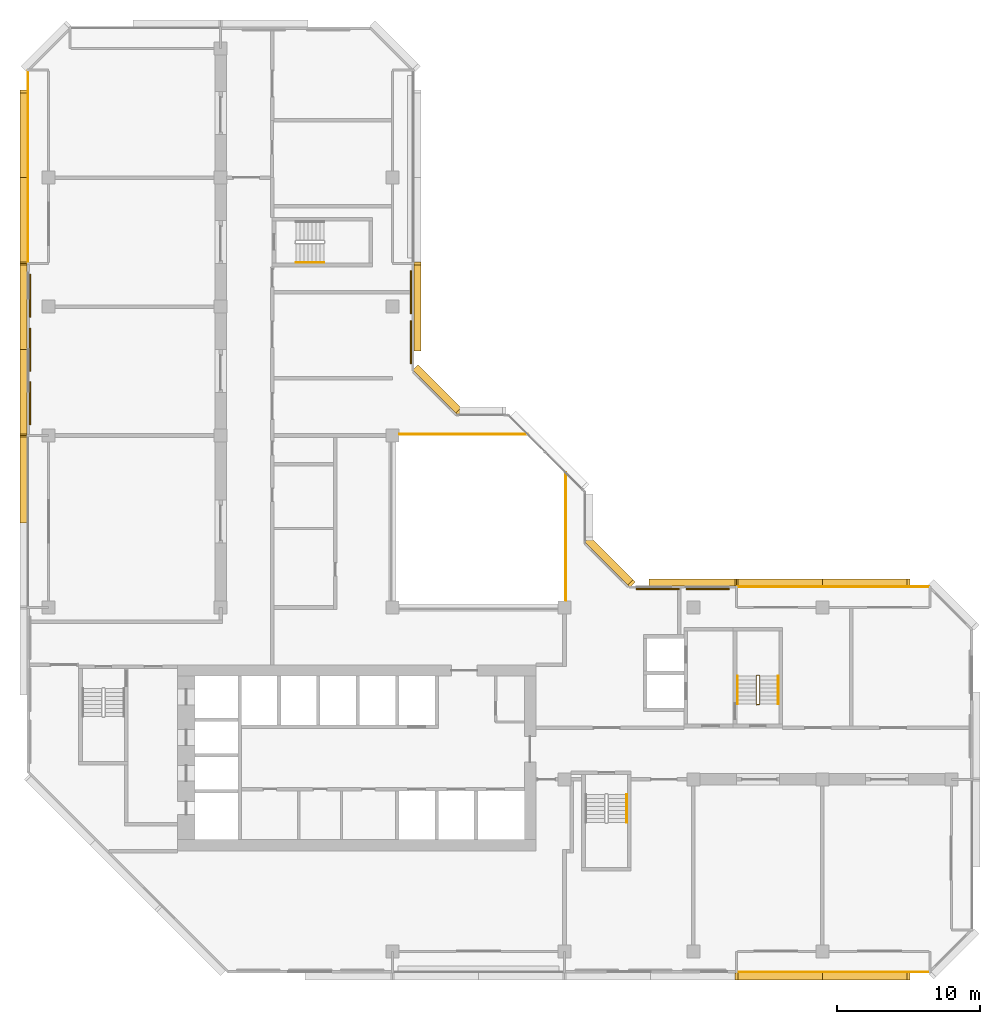
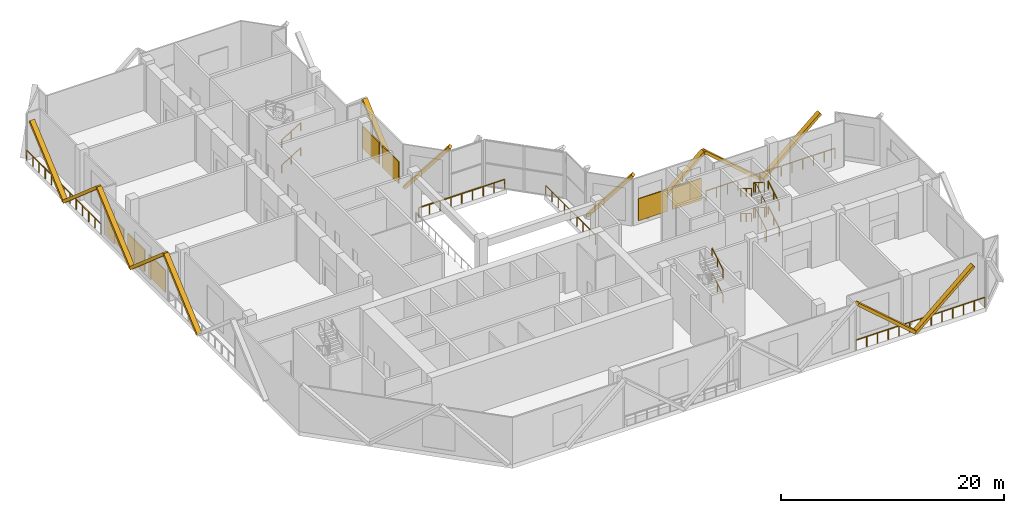
# One storey, part 10 of 11: 14 railings, 13 coverings, 7 shading devices.
"""IFC4 building model written with IfcOpenShell, lengths in metres."""

from ifc_helpers import new_model, si_unit, direction, frame, origin, origin_2d, place, context, subcontext, project, spatial, rectangle, extrude, material, material_profile, profile_set, type_object, element, save


model = new_model("IFC4")

# Units and contexts
model_context = context("Model", 3, precision=1e-05, world=origin(), true_north=direction((0.0, 1.0)))
body_context = subcontext(model_context, "Body", "Model", "MODEL_VIEW")
ifc_project = project(units=[si_unit("LENGTHUNIT", "METRE"), si_unit("AREAUNIT", "SQUARE_METRE"), si_unit("VOLUMEUNIT", "CUBIC_METRE"), si_unit("PLANEANGLEUNIT", "RADIAN"), si_unit("MASSUNIT", "GRAM", prefix="KILO")], contexts=[model_context])

# Site, building, storey
site_placement = place(None, origin())
site = spatial("IfcSite", under=ifc_project, at=site_placement, CompositionType="ELEMENT")
building_placement = place(site_placement, origin())
building = spatial("IfcBuilding", under=site, at=building_placement, Name="Chenar Terraces", CompositionType="ELEMENT")
storey_placement = place(building_placement, frame((0.0, 0.0, 206.14990234375)))
storey = spatial("IfcBuildingStorey", under=building, at=storey_placement, Name="L48", CompositionType="ELEMENT", Elevation=206.14990234375)

# Railings
ifc_material_1 = material(Name="Powder-coated steel", Category="steel")
railing_type_1 = type_object("IfcRailingType", Name="Guard 1100 steel rail with glass infill", PredefinedType="GUARDRAIL", material=ifc_material_1)
railing_1_placement = place(storey_placement, frame((24.5, 36.10009765625, 0.0)))
element("IfcRailing", 1, at=railing_1_placement, inside=storey, type_object=railing_type_1, Name="Guard L48-2", PredefinedType="GUARDRAIL", context=body_context, shape_type="SweptSolid", body=[
    extrude(rectangle(XDim=0.06005859375, YDim=0.06005859375, at=origin_2d()), frame((0.0, 0.0, 1.070068359375), z_axis=(1.0, 0.0, 0.0), x_axis=(0.0, 1.0, 0.0)), (0.0, 0.0, 1.0), 8.89990234375),
    extrude(rectangle(XDim=0.050048828125, YDim=0.050048828125, at=origin_2d()), origin(), (0.0, 0.0, 1.0), 1.0400390625),
    extrude(rectangle(XDim=0.050048828125, YDim=0.050048828125, at=origin_2d()), frame((1.112548828125, 0.0, 0.0)), (0.0, 0.0, 1.0), 1.0400390625),
    extrude(rectangle(XDim=0.050048828125, YDim=0.050048828125, at=origin_2d()), frame((2.22509765625, 0.0, 0.0)), (0.0, 0.0, 1.0), 1.0400390625),
    extrude(rectangle(XDim=0.050048828125, YDim=0.050048828125, at=origin_2d()), frame((3.33740234375, 0.0, 0.0)), (0.0, 0.0, 1.0), 1.0400390625),
    extrude(rectangle(XDim=0.050048828125, YDim=0.050048828125, at=origin_2d()), frame((4.449951171875, 0.0, 0.0)), (0.0, 0.0, 1.0), 1.0400390625),
    extrude(rectangle(XDim=0.050048828125, YDim=0.050048828125, at=origin_2d()), frame((5.5625, 0.0, 0.0)), (0.0, 0.0, 1.0), 1.0400390625),
    extrude(rectangle(XDim=0.050048828125, YDim=0.050048828125, at=origin_2d()), frame((6.6748046875, 0.0, 0.0)), (0.0, 0.0, 1.0), 1.0400390625),
    extrude(rectangle(XDim=0.050048828125, YDim=0.050048828125, at=origin_2d()), frame((7.787353515625, 0.0, 0.0)), (0.0, 0.0, 1.0), 1.0400390625),
    extrude(rectangle(XDim=0.050048828125, YDim=0.050048828125, at=origin_2d()), frame((8.89990234375, 0.0, 0.0)), (0.0, 0.0, 1.0), 1.0400390625),
])
railing_2_placement = place(storey_placement, frame((36.10009765625, 24.5, 0.0)))
element("IfcRailing", 2, at=railing_2_placement, inside=storey, type_object=railing_type_1, Name="Guard L48-3", PredefinedType="GUARDRAIL", context=body_context, shape_type="SweptSolid", body=[
    extrude(rectangle(XDim=0.06005859375, YDim=0.06005859375, at=origin_2d()), frame((0.0, 0.0, 1.070068359375), z_axis=(0.0, 1.0, 0.0), x_axis=(-1.0, 0.0, 0.0)), (0.0, 0.0, 1.0), 8.89990234375),
    extrude(rectangle(XDim=0.050048828125, YDim=0.050048828125, at=origin_2d()), origin(), (0.0, 0.0, 1.0), 1.0400390625),
    extrude(rectangle(XDim=0.050048828125, YDim=0.050048828125, at=origin_2d()), frame((0.0, 1.112548828125, 0.0)), (0.0, 0.0, 1.0), 1.0400390625),
    extrude(rectangle(XDim=0.050048828125, YDim=0.050048828125, at=origin_2d()), frame((0.0, 2.22509765625, 0.0)), (0.0, 0.0, 1.0), 1.0400390625),
    extrude(rectangle(XDim=0.050048828125, YDim=0.050048828125, at=origin_2d()), frame((0.0, 3.33740234375, 0.0)), (0.0, 0.0, 1.0), 1.0400390625),
    extrude(rectangle(XDim=0.050048828125, YDim=0.050048828125, at=origin_2d()), frame((0.0, 4.449951171875, 0.0)), (0.0, 0.0, 1.0), 1.0400390625),
    extrude(rectangle(XDim=0.050048828125, YDim=0.050048828125, at=origin_2d()), frame((0.0, 5.5625, 0.0)), (0.0, 0.0, 1.0), 1.0400390625),
    extrude(rectangle(XDim=0.050048828125, YDim=0.050048828125, at=origin_2d()), frame((0.0, 6.6748046875, 0.0)), (0.0, 0.0, 1.0), 1.0400390625),
    extrude(rectangle(XDim=0.050048828125, YDim=0.050048828125, at=origin_2d()), frame((0.0, 7.787353515625, 0.0)), (0.0, 0.0, 1.0), 1.0400390625),
    extrude(rectangle(XDim=0.050048828125, YDim=0.050048828125, at=origin_2d()), frame((0.0, 8.89990234375, 0.0)), (0.0, 0.0, 1.0), 1.0400390625),
])
ifc_material_2 = material(Name="Stainless steel and glass", Category="steel")
railing_type_2 = type_object("IfcRailingType", Name="Loggia guard 1150", PredefinedType="GUARDRAIL", material=ifc_material_2)
railing_3_placement = place(storey_placement, frame((61.425048828125, 25.449951171875, 0.0)))
element("IfcRailing", 3, at=railing_3_placement, inside=storey, type_object=railing_type_2, Name="Loggia guard", PredefinedType="GUARDRAIL", context=body_context, shape_type="SweptSolid", body=[
    extrude(rectangle(XDim=0.048095703125, YDim=0.048095703125, at=origin_2d()), frame((0.0, 0.0, 1.1259765625), z_axis=(-1.0, 0.0, 0.0), x_axis=(0.0, -1.0, 0.0)), (0.0, 0.0, 1.0), 13.35009765625),
    extrude(rectangle(XDim=0.0419921875, YDim=0.0419921875, at=origin_2d()), origin(), (0.0, 0.0, 1.0), 1.101806640625),
    extrude(rectangle(XDim=0.0419921875, YDim=0.0419921875, at=origin_2d()), frame((-1.112548828125, 0.0, 0.0)), (0.0, 0.0, 1.0), 1.101806640625),
    extrude(rectangle(XDim=0.0419921875, YDim=0.0419921875, at=origin_2d()), frame((-2.22509765625, 0.0, 0.0)), (0.0, 0.0, 1.0), 1.101806640625),
    extrude(rectangle(XDim=0.0419921875, YDim=0.0419921875, at=origin_2d()), frame((-3.33740234375, 0.0, 0.0)), (0.0, 0.0, 1.0), 1.101806640625),
    extrude(rectangle(XDim=0.0419921875, YDim=0.0419921875, at=origin_2d()), frame((-4.449951171875, 0.0, 0.0)), (0.0, 0.0, 1.0), 1.101806640625),
    extrude(rectangle(XDim=0.0419921875, YDim=0.0419921875, at=origin_2d()), frame((-5.5625, 0.0, 0.0)), (0.0, 0.0, 1.0), 1.101806640625),
    extrude(rectangle(XDim=0.0419921875, YDim=0.0419921875, at=origin_2d()), frame((-6.675048828125, 0.0, 0.0)), (0.0, 0.0, 1.0), 1.101806640625),
    extrude(rectangle(XDim=0.0419921875, YDim=0.0419921875, at=origin_2d()), frame((-7.78759765625, 0.0, 0.0)), (0.0, 0.0, 1.0), 1.101806640625),
    extrude(rectangle(XDim=0.0419921875, YDim=0.0419921875, at=origin_2d()), frame((-8.900146484375, 0.0, 0.0)), (0.0, 0.0, 1.0), 1.101806640625),
    extrude(rectangle(XDim=0.0419921875, YDim=0.0419921875, at=origin_2d()), frame((-10.0126953125, 0.0, 0.0)), (0.0, 0.0, 1.0), 1.101806640625),
    extrude(rectangle(XDim=0.0419921875, YDim=0.0419921875, at=origin_2d()), frame((-11.125, 0.0, 0.0)), (0.0, 0.0, 1.0), 1.101806640625),
    extrude(rectangle(XDim=0.0419921875, YDim=0.0419921875, at=origin_2d()), frame((-12.237548828125, 0.0, 0.0)), (0.0, 0.0, 1.0), 1.101806640625),
    extrude(rectangle(XDim=0.0419921875, YDim=0.0419921875, at=origin_2d()), frame((-13.35009765625, 0.0, 0.0)), (0.0, 0.0, 1.0), 1.101806640625),
])
railing_4_placement = place(storey_placement, frame((48.074951171875, -1.449951171875, 0.0)))
element("IfcRailing", 4, at=railing_4_placement, inside=storey, type_object=railing_type_2, Name="Loggia guard", PredefinedType="GUARDRAIL", context=body_context, shape_type="SweptSolid", body=[
    extrude(rectangle(XDim=0.048095703125, YDim=0.048095703125, at=origin_2d()), frame((0.0, 0.0, 1.1259765625), z_axis=(1.0, 0.0, 0.0), x_axis=(0.0, 1.0, 0.0)), (0.0, 0.0, 1.0), 13.35009765625),
    extrude(rectangle(XDim=0.0419921875, YDim=0.0419921875, at=origin_2d()), origin(), (0.0, 0.0, 1.0), 1.101806640625),
    extrude(rectangle(XDim=0.0419921875, YDim=0.0419921875, at=origin_2d()), frame((1.112548828125, 0.0, 0.0)), (0.0, 0.0, 1.0), 1.101806640625),
    extrude(rectangle(XDim=0.0419921875, YDim=0.0419921875, at=origin_2d()), frame((2.22509765625, 0.0, 0.0)), (0.0, 0.0, 1.0), 1.101806640625),
    extrude(rectangle(XDim=0.0419921875, YDim=0.0419921875, at=origin_2d()), frame((3.33740234375, 0.0, 0.0)), (0.0, 0.0, 1.0), 1.101806640625),
    extrude(rectangle(XDim=0.0419921875, YDim=0.0419921875, at=origin_2d()), frame((4.449951171875, 0.0, 0.0)), (0.0, 0.0, 1.0), 1.101806640625),
    extrude(rectangle(XDim=0.0419921875, YDim=0.0419921875, at=origin_2d()), frame((5.5625, 0.0, 0.0)), (0.0, 0.0, 1.0), 1.101806640625),
    extrude(rectangle(XDim=0.0419921875, YDim=0.0419921875, at=origin_2d()), frame((6.675048828125, 0.0, 0.0)), (0.0, 0.0, 1.0), 1.101806640625),
    extrude(rectangle(XDim=0.0419921875, YDim=0.0419921875, at=origin_2d()), frame((7.78759765625, 0.0, 0.0)), (0.0, 0.0, 1.0), 1.101806640625),
    extrude(rectangle(XDim=0.0419921875, YDim=0.0419921875, at=origin_2d()), frame((8.900146484375, 0.0, 0.0)), (0.0, 0.0, 1.0), 1.101806640625),
    extrude(rectangle(XDim=0.0419921875, YDim=0.0419921875, at=origin_2d()), frame((10.0126953125, 0.0, 0.0)), (0.0, 0.0, 1.0), 1.101806640625),
    extrude(rectangle(XDim=0.0419921875, YDim=0.0419921875, at=origin_2d()), frame((11.125, 0.0, 0.0)), (0.0, 0.0, 1.0), 1.101806640625),
    extrude(rectangle(XDim=0.0419921875, YDim=0.0419921875, at=origin_2d()), frame((12.237548828125, 0.0, 0.0)), (0.0, 0.0, 1.0), 1.101806640625),
    extrude(rectangle(XDim=0.0419921875, YDim=0.0419921875, at=origin_2d()), frame((13.35009765625, 0.0, 0.0)), (0.0, 0.0, 1.0), 1.101806640625),
])
railing_5_placement = place(storey_placement, frame((-1.449951171875, 61.425048828125, 0.0)))
element("IfcRailing", 5, at=railing_5_placement, inside=storey, type_object=railing_type_2, Name="Loggia guard", PredefinedType="GUARDRAIL", context=body_context, shape_type="SweptSolid", body=[
    extrude(rectangle(XDim=0.048095703125, YDim=0.048095703125, at=origin_2d()), frame((0.0, 0.0, 1.1259765625), z_axis=(0.0, -1.0, 0.0), x_axis=(1.0, 0.0, 0.0)), (0.0, 0.0, 1.0), 13.35009765625),
    extrude(rectangle(XDim=0.0419921875, YDim=0.0419921875, at=origin_2d()), origin(), (0.0, 0.0, 1.0), 1.101806640625),
    extrude(rectangle(XDim=0.0419921875, YDim=0.0419921875, at=origin_2d()), frame((0.0, -1.112548828125, 0.0)), (0.0, 0.0, 1.0), 1.101806640625),
    extrude(rectangle(XDim=0.0419921875, YDim=0.0419921875, at=origin_2d()), frame((0.0, -2.22509765625, 0.0)), (0.0, 0.0, 1.0), 1.101806640625),
    extrude(rectangle(XDim=0.0419921875, YDim=0.0419921875, at=origin_2d()), frame((0.0, -3.33740234375, 0.0)), (0.0, 0.0, 1.0), 1.101806640625),
    extrude(rectangle(XDim=0.0419921875, YDim=0.0419921875, at=origin_2d()), frame((0.0, -4.449951171875, 0.0)), (0.0, 0.0, 1.0), 1.101806640625),
    extrude(rectangle(XDim=0.0419921875, YDim=0.0419921875, at=origin_2d()), frame((0.0, -5.5625, 0.0)), (0.0, 0.0, 1.0), 1.101806640625),
    extrude(rectangle(XDim=0.0419921875, YDim=0.0419921875, at=origin_2d()), frame((0.0, -6.675048828125, 0.0)), (0.0, 0.0, 1.0), 1.101806640625),
    extrude(rectangle(XDim=0.0419921875, YDim=0.0419921875, at=origin_2d()), frame((0.0, -7.78759765625, 0.0)), (0.0, 0.0, 1.0), 1.101806640625),
    extrude(rectangle(XDim=0.0419921875, YDim=0.0419921875, at=origin_2d()), frame((0.0, -8.900146484375, 0.0)), (0.0, 0.0, 1.0), 1.101806640625),
    extrude(rectangle(XDim=0.0419921875, YDim=0.0419921875, at=origin_2d()), frame((0.0, -10.0126953125, 0.0)), (0.0, 0.0, 1.0), 1.101806640625),
    extrude(rectangle(XDim=0.0419921875, YDim=0.0419921875, at=origin_2d()), frame((0.0, -11.125, 0.0)), (0.0, 0.0, 1.0), 1.101806640625),
    extrude(rectangle(XDim=0.0419921875, YDim=0.0419921875, at=origin_2d()), frame((0.0, -12.237548828125, 0.0)), (0.0, 0.0, 1.0), 1.101806640625),
    extrude(rectangle(XDim=0.0419921875, YDim=0.0419921875, at=origin_2d()), frame((0.0, -13.35009765625, 0.0)), (0.0, 0.0, 1.0), 1.101806640625),
])

# Shading devices
ifc_material_3 = material(Name="Powder-coated steel", Category="steel")
shading_device_type = type_object("IfcShadingDeviceType", Name="Sand-proof louvre bank 3000 x 2400", PredefinedType="USERDEFINED", material=ifc_material_3)
for number, where, z_axis, x_axis, name in (
    (6, (25.300048828125, 42.5, 0.4501953125), (0.0, 0.0, 1.0), (0.0, 1.0, 0.0), "Sand-proof louvre bank"),
    (7, (25.300048828125, 46.0, 0.4501953125), (0.0, 0.0, 1.0), (0.0, 1.0, 0.0), "Sand-proof louvre bank"),
    (8, (46.0, 25.300048828125, 0.4501953125), (0.0, 0.0, 1.0), (-1.0, 0.0, 0.0), "Sand-proof louvre bank"),
    (9, (42.5, 25.300048828125, 0.4501953125), (0.0, 0.0, 1.0), (-1.0, 0.0, 0.0), "Sand-proof louvre bank"),
    (10, (-1.300048828125, 45.75, 0.4501953125), (0.0, 0.0, 1.0), (0.0, -1.0, 0.0), "Sand-proof louvre bank"),
    (11, (-1.300048828125, 42.0, 0.4501953125), (0.0, 0.0, 1.0), (0.0, -1.0, 0.0), "Sand-proof louvre bank"),
    (12, (-1.300048828125, 38.25, 0.4501953125), (0.0, 0.0, 1.0), (0.0, -1.0, 0.0), "Sand-proof louvre bank"),
):
    element("IfcShadingDevice", number, at=place(storey_placement, frame(where, z_axis=z_axis, x_axis=x_axis)), inside=storey, type_object=shading_device_type, Name=name, ObjectType="LOUVRE", PredefinedType="USERDEFINED", context=body_context, shape_type="SweptSolid", body=[
        extrude(rectangle(XDim=3.0, YDim=0.10009765625, at=origin_2d()), origin(), (0.0, 0.0, 1.0), 2.39990234375),
    ])

# Railings
ifc_material_4 = material(Name="Powder-coated steel", Category="steel")
railing_type_3 = type_object("IfcRailingType", Name="Stair guard 1100", PredefinedType="GUARDRAIL", material=ifc_material_4)
railing_6_placement = place(storey_placement, frame((49.375, 17.25, 5.5)))
element("IfcRailing", 13, at=railing_6_placement, inside=storey, type_object=railing_type_3, Name="L48 ST3 stair guard 1", PredefinedType="GUARDRAIL", context=body_context, shape_type="SweptSolid", body=[
    extrude(rectangle(XDim=0.048095703125, YDim=0.048095703125, at=origin_2d()), frame((0.0, 0.0, 1.076171875), z_axis=(0.0, 0.852240978134, -0.523149419562), x_axis=(-1.0, 0.0, 0.0)), (0.0, 0.0, 1.0), 2.2998046875),
    extrude(rectangle(XDim=0.048095703125, YDim=0.048095703125, at=origin_2d()), frame((0.0, 1.9599609375, -0.126953125), z_axis=(0.269255725606, 0.269255725606, -0.92466356501), x_axis=(-0.707106781187, 0.707106781187, 0.0)), (0.0, 0.0, 1.0), 0.185791015625),
    extrude(rectangle(XDim=0.048095703125, YDim=0.048095703125, at=origin_2d()), frame((0.050048828125, 2.010009765625, -0.298828125), z_axis=(1.0, 0.0, 0.0), x_axis=(0.0, 1.0, 0.0)), (0.0, 0.0, 1.0), 0.14990234375),
    extrude(rectangle(XDim=0.048095703125, YDim=0.048095703125, at=origin_2d()), frame((0.199951171875, 2.010009765625, -0.298828125), z_axis=(0.707106781187, -0.707106781187, 0.0), x_axis=(0.707106781187, 0.707106781187, 0.0)), (0.0, 0.0, 1.0), 0.07080078125),
    extrude(rectangle(XDim=0.048095703125, YDim=0.048095703125, at=origin_2d()), frame((0.25, 1.9599609375, -0.298828125), z_axis=(0.0, -0.852240978134, -0.523149419562), x_axis=(1.0, 0.0, 0.0)), (0.0, 0.0, 1.0), 2.2998046875),
    extrude(rectangle(XDim=0.048095703125, YDim=0.048095703125, at=origin_2d()), frame((0.25, 0.0, -1.501953125), z_axis=(-0.745037588186, -0.186486819998, -0.640423030626), x_axis=(0.242814311512, -0.970072785993, 0.0)), (0.0, 0.0, 1.0), 0.268310546875),
    extrude(rectangle(XDim=0.048095703125, YDim=0.048095703125, at=origin_2d()), frame((0.050048828125, -0.050048828125, -1.673828125), z_axis=(1.0, 0.0, 0.0), x_axis=(0.0, 1.0, 0.0)), (0.0, 0.0, 1.0), 0.14990234375),
    extrude(rectangle(XDim=0.048095703125, YDim=0.048095703125, at=origin_2d()), frame((0.199951171875, -0.050048828125, -1.673828125), z_axis=(-0.970072785993, 0.242814311512, 0.0), x_axis=(-0.242814311512, -0.970072785993, 0.0)), (0.0, 0.0, 1.0), 0.2060546875),
    extrude(rectangle(XDim=0.048095703125, YDim=0.048095703125, at=origin_2d()), frame((0.0, 0.0, -1.673828125), z_axis=(0.0, 0.852240978134, -0.523149419562), x_axis=(-1.0, 0.0, 0.0)), (0.0, 0.0, 1.0), 2.2998046875),
    extrude(rectangle(XDim=0.048095703125, YDim=0.048095703125, at=origin_2d()), frame((0.0, 1.9599609375, -2.876953125), z_axis=(0.269255725606, 0.269255725606, -0.92466356501), x_axis=(-0.707106781187, 0.707106781187, 0.0)), (0.0, 0.0, 1.0), 0.185791015625),
    extrude(rectangle(XDim=0.048095703125, YDim=0.048095703125, at=origin_2d()), frame((0.050048828125, 2.010009765625, -3.048828125), z_axis=(1.0, 0.0, 0.0), x_axis=(0.0, 1.0, 0.0)), (0.0, 0.0, 1.0), 0.14990234375),
    extrude(rectangle(XDim=0.048095703125, YDim=0.048095703125, at=origin_2d()), frame((0.199951171875, 2.010009765625, -3.048828125), z_axis=(0.707106781187, -0.707106781187, 0.0), x_axis=(0.707106781187, 0.707106781187, 0.0)), (0.0, 0.0, 1.0), 0.07080078125),
    extrude(rectangle(XDim=0.048095703125, YDim=0.048095703125, at=origin_2d()), frame((0.25, 1.9599609375, -3.048828125), z_axis=(0.0, -0.852240978134, -0.523149419562), x_axis=(1.0, 0.0, 0.0)), (0.0, 0.0, 1.0), 2.2998046875),
    extrude(rectangle(XDim=0.048095703125, YDim=0.048095703125, at=origin_2d()), frame((0.25, 0.0, -4.251953125), z_axis=(-0.269255725606, -0.269255725606, -0.92466356501), x_axis=(0.707106781187, -0.707106781187, 0.0)), (0.0, 0.0, 1.0), 0.185791015625),
    extrude(rectangle(XDim=0.048095703125, YDim=0.048095703125, at=origin_2d()), frame((0.199951171875, -0.050048828125, -4.423828125), z_axis=(-1.0, 0.0, 0.0), x_axis=(0.0, -1.0, 0.0)), (0.0, 0.0, 1.0), 0.14990234375),
    extrude(rectangle(XDim=0.0419921875, YDim=0.0419921875, at=origin_2d()), origin(), (0.0, 0.0, 1.0), 1.052001953125),
    extrude(rectangle(XDim=0.0419921875, YDim=0.0419921875, at=origin_2d()), frame((0.0, 0.97998046875, -0.6015625)), (0.0, 0.0, 1.0), 1.052001953125),
    extrude(rectangle(XDim=0.0419921875, YDim=0.0419921875, at=origin_2d()), frame((0.0, 1.9599609375, -1.203125)), (0.0, 0.0, 1.0), 1.052001953125),
    extrude(rectangle(XDim=0.0419921875, YDim=0.0419921875, at=origin_2d()), frame((0.050048828125, 2.010009765625, -1.375)), (0.0, 0.0, 1.0), 1.052001953125),
    extrude(rectangle(XDim=0.0419921875, YDim=0.0419921875, at=origin_2d()), frame((0.199951171875, 2.010009765625, -1.375)), (0.0, 0.0, 1.0), 1.052001953125),
    extrude(rectangle(XDim=0.0419921875, YDim=0.0419921875, at=origin_2d()), frame((0.25, 1.9599609375, -1.375)), (0.0, 0.0, 1.0), 1.052001953125),
    extrude(rectangle(XDim=0.0419921875, YDim=0.0419921875, at=origin_2d()), frame((0.25, 0.97998046875, -1.9765625)), (0.0, 0.0, 1.0), 1.052001953125),
    extrude(rectangle(XDim=0.0419921875, YDim=0.0419921875, at=origin_2d()), frame((0.25, 0.0, -2.578125)), (0.0, 0.0, 1.0), 1.052001953125),
    extrude(rectangle(XDim=0.0419921875, YDim=0.0419921875, at=origin_2d()), frame((0.050048828125, -0.050048828125, -2.75)), (0.0, 0.0, 1.0), 1.052001953125),
    extrude(rectangle(XDim=0.0419921875, YDim=0.0419921875, at=origin_2d()), frame((0.199951171875, -0.050048828125, -2.75)), (0.0, 0.0, 1.0), 1.052001953125),
    extrude(rectangle(XDim=0.0419921875, YDim=0.0419921875, at=origin_2d()), frame((0.0, 0.0, -2.75)), (0.0, 0.0, 1.0), 1.052001953125),
    extrude(rectangle(XDim=0.0419921875, YDim=0.0419921875, at=origin_2d()), frame((0.0, 0.97998046875, -3.3515625)), (0.0, 0.0, 1.0), 1.052001953125),
    extrude(rectangle(XDim=0.0419921875, YDim=0.0419921875, at=origin_2d()), frame((0.0, 1.9599609375, -3.953125)), (0.0, 0.0, 1.0), 1.052001953125),
    extrude(rectangle(XDim=0.0419921875, YDim=0.0419921875, at=origin_2d()), frame((0.050048828125, 2.010009765625, -4.125)), (0.0, 0.0, 1.0), 1.052001953125),
    extrude(rectangle(XDim=0.0419921875, YDim=0.0419921875, at=origin_2d()), frame((0.199951171875, 2.010009765625, -4.125)), (0.0, 0.0, 1.0), 1.052001953125),
    extrude(rectangle(XDim=0.0419921875, YDim=0.0419921875, at=origin_2d()), frame((0.25, 1.9599609375, -4.125)), (0.0, 0.0, 1.0), 1.052001953125),
    extrude(rectangle(XDim=0.0419921875, YDim=0.0419921875, at=origin_2d()), frame((0.25, 0.97998046875, -4.7265625)), (0.0, 0.0, 1.0), 1.052001953125),
    extrude(rectangle(XDim=0.0419921875, YDim=0.0419921875, at=origin_2d()), frame((0.25, 0.0, -5.328125)), (0.0, 0.0, 1.0), 1.052001953125),
    extrude(rectangle(XDim=0.0419921875, YDim=0.0419921875, at=origin_2d()), frame((0.199951171875, -0.050048828125, -5.5)), (0.0, 0.0, 1.0), 1.052001953125),
    extrude(rectangle(XDim=0.0419921875, YDim=0.0419921875, at=origin_2d()), frame((0.050048828125, -0.050048828125, -5.5)), (0.0, 0.0, 1.0), 1.052001953125),
])
ifc_material_5 = material(Name="Powder-coated steel", Category="steel")
railing_type_4 = type_object("IfcRailingType", Name="Stair handrail 900", PredefinedType="HANDRAIL", material=ifc_material_5)
for number, where, name in (
    (14, (40.35009765625, 8.989990234375, 1.546875), "L48 ST2 stair handrail 2"),
    (15, (40.35009765625, 8.989990234375, 4.296875), "L48 ST2 stair handrail 4"),
    (16, (50.925048828125, 17.25, 0.171875), "L48 ST3 stair handrail 1"),
):
    element("IfcRailing", number, at=place(storey_placement, frame(where)), inside=storey, type_object=railing_type_4, Name=name, PredefinedType="HANDRAIL", context=body_context, shape_type="SweptSolid", body=[
        extrude(rectangle(XDim=0.048095703125, YDim=0.048095703125, at=origin_2d()), frame((0.0, 0.0, 0.8759765625), z_axis=(0.0, 0.852240978134, 0.523149419562), x_axis=(-1.0, 0.0, 0.0)), (0.0, 0.0, 1.0), 2.2998046875),
        extrude(rectangle(XDim=0.0419921875, YDim=0.0419921875, at=origin_2d()), origin(), (0.0, 0.0, 1.0), 0.851806640625),
        extrude(rectangle(XDim=0.0419921875, YDim=0.0419921875, at=origin_2d()), frame((0.0, 0.97998046875, 0.6015625)), (0.0, 0.0, 1.0), 0.851806640625),
        extrude(rectangle(XDim=0.0419921875, YDim=0.0419921875, at=origin_2d()), frame((0.0, 1.9599609375, 1.203125)), (0.0, 0.0, 1.0), 0.851806640625),
    ])
railing_7_placement = place(storey_placement, frame((48.074951171875, 19.2099609375, 1.546875)))
element("IfcRailing", 17, at=railing_7_placement, inside=storey, type_object=railing_type_4, Name="L48 ST3 stair handrail 2", PredefinedType="HANDRAIL", context=body_context, shape_type="SweptSolid", body=[
    extrude(rectangle(XDim=0.048095703125, YDim=0.048095703125, at=origin_2d()), frame((0.0, 0.0, 0.8759765625), z_axis=(0.0, -0.852240978134, 0.523149419562), x_axis=(1.0, 0.0, 0.0)), (0.0, 0.0, 1.0), 2.2998046875),
    extrude(rectangle(XDim=0.0419921875, YDim=0.0419921875, at=origin_2d()), origin(), (0.0, 0.0, 1.0), 0.851806640625),
    extrude(rectangle(XDim=0.0419921875, YDim=0.0419921875, at=origin_2d()), frame((0.0, -0.97998046875, 0.6015625)), (0.0, 0.0, 1.0), 0.851806640625),
    extrude(rectangle(XDim=0.0419921875, YDim=0.0419921875, at=origin_2d()), frame((0.0, -1.9599609375, 1.203125)), (0.0, 0.0, 1.0), 0.851806640625),
])
railing_8_placement = place(storey_placement, frame((50.925048828125, 17.25, 2.921875)))
element("IfcRailing", 18, at=railing_8_placement, inside=storey, type_object=railing_type_4, Name="L48 ST3 stair handrail 3", PredefinedType="HANDRAIL", context=body_context, shape_type="SweptSolid", body=[
    extrude(rectangle(XDim=0.048095703125, YDim=0.048095703125, at=origin_2d()), frame((0.0, 0.0, 0.8759765625), z_axis=(0.0, 0.852240978134, 0.523149419562), x_axis=(-1.0, 0.0, 0.0)), (0.0, 0.0, 1.0), 2.2998046875),
    extrude(rectangle(XDim=0.0419921875, YDim=0.0419921875, at=origin_2d()), origin(), (0.0, 0.0, 1.0), 0.851806640625),
    extrude(rectangle(XDim=0.0419921875, YDim=0.0419921875, at=origin_2d()), frame((0.0, 0.97998046875, 0.6015625)), (0.0, 0.0, 1.0), 0.851806640625),
    extrude(rectangle(XDim=0.0419921875, YDim=0.0419921875, at=origin_2d()), frame((0.0, 1.9599609375, 1.203125)), (0.0, 0.0, 1.0), 0.851806640625),
])
railing_9_placement = place(storey_placement, frame((48.074951171875, 19.2099609375, 4.296875)))
element("IfcRailing", 19, at=railing_9_placement, inside=storey, type_object=railing_type_4, Name="L48 ST3 stair handrail 4", PredefinedType="HANDRAIL", context=body_context, shape_type="SweptSolid", body=[
    extrude(rectangle(XDim=0.048095703125, YDim=0.048095703125, at=origin_2d()), frame((0.0, 0.0, 0.8759765625), z_axis=(0.0, -0.852240978134, 0.523149419562), x_axis=(1.0, 0.0, 0.0)), (0.0, 0.0, 1.0), 2.2998046875),
    extrude(rectangle(XDim=0.0419921875, YDim=0.0419921875, at=origin_2d()), origin(), (0.0, 0.0, 1.0), 0.851806640625),
    extrude(rectangle(XDim=0.0419921875, YDim=0.0419921875, at=origin_2d()), frame((0.0, -0.97998046875, 0.6015625)), (0.0, 0.0, 1.0), 0.851806640625),
    extrude(rectangle(XDim=0.0419921875, YDim=0.0419921875, at=origin_2d()), frame((0.0, -1.9599609375, 1.203125)), (0.0, 0.0, 1.0), 0.851806640625),
])
for number, where, name in (
    (20, (17.25, 48.074951171875, 0.171875), "L48 ST4 stair handrail 1"),
    (21, (17.25, 48.074951171875, 2.921875), "L48 ST4 stair handrail 3"),
):
    element("IfcRailing", number, at=place(storey_placement, frame(where)), inside=storey, type_object=railing_type_4, Name=name, PredefinedType="HANDRAIL", context=body_context, shape_type="SweptSolid", body=[
        extrude(rectangle(XDim=0.048095703125, YDim=0.048095703125, at=origin_2d()), frame((0.0, 0.0, 0.8759765625), z_axis=(0.852240978134, 0.0, 0.523149419562), x_axis=(0.0, 1.0, 0.0)), (0.0, 0.0, 1.0), 2.2998046875),
        extrude(rectangle(XDim=0.0419921875, YDim=0.0419921875, at=origin_2d()), origin(), (0.0, 0.0, 1.0), 0.851806640625),
        extrude(rectangle(XDim=0.0419921875, YDim=0.0419921875, at=origin_2d()), frame((0.97998046875, 0.0, 0.6015625)), (0.0, 0.0, 1.0), 0.851806640625),
        extrude(rectangle(XDim=0.0419921875, YDim=0.0419921875, at=origin_2d()), frame((1.9599609375, 0.0, 1.203125)), (0.0, 0.0, 1.0), 0.851806640625),
    ])

# Coverings
ifc_material_6 = material(Name="Terracotta", Category="masonry")
ifc_material_profile = material_profile(ifc_material_6, rectangle(XDim=0.5, YDim=0.300048828125, at=origin_2d()), Name="Terracotta baguette 500 x 300")
ifc_profile_set = profile_set([ifc_material_profile], Name="Terracotta")
covering_type = type_object("IfcCoveringType", Name="Terracotta baguette 500 x 300", PredefinedType="CLADDING", material=ifc_profile_set)
for number, where, z_axis, x_axis, name in (
    (22, (60.0, 25.75, 5.35009765625), (-0.755692126483, 0.0, -0.654927026447), (0.0, -1.0, 0.0), "Terracotta baguette"),
    (23, (54.0, 25.75, 0.150146484375), (-0.755692126483, 0.0, 0.654927026447), (0.0, -1.0, 0.0), "Terracotta baguette"),
    (24, (48.0, 25.75, 5.35009765625), (-0.755692126483, 0.0, -0.654927026447), (0.0, -1.0, 0.0), "Terracotta baguette"),
):
    element("IfcCovering", number, at=place(storey_placement, frame(where, z_axis=z_axis, x_axis=x_axis)), inside=storey, type_object=covering_type, Name=name, PredefinedType="CLADDING", context=body_context, shape_type="SweptSolid", body=[
        extrude(rectangle(XDim=0.5, YDim=0.300048828125, at=origin_2d()), origin(), (0.0, 0.0, 1.0), 7.939697265625),
    ])
for number, where, z_axis, x_axis, name in (
    (25, (40.6767578125, 25.6767578125, 5.35009765625), (-0.447017486301, 0.447017486301, -0.774823033913), (-0.707106781187, -0.707106781187, 0.0), "Terracotta baguette"),
    (26, (28.6767578125, 37.6767578125, 5.35009765625), (-0.447017486301, 0.447017486301, -0.774823033913), (-0.707106781187, -0.707106781187, 0.0), "Terracotta baguette"),
):
    element("IfcCovering", number, at=place(storey_placement, frame(where, z_axis=z_axis, x_axis=x_axis)), inside=storey, type_object=covering_type, Name=name, PredefinedType="CLADDING", context=body_context, shape_type="SweptSolid", body=[
        extrude(rectangle(XDim=0.5, YDim=0.300048828125, at=origin_2d()), origin(), (0.0, 0.0, 1.0), 6.711181640625),
    ])
for number, where, z_axis, x_axis, name in (
    (27, (25.75, 42.0, 0.150146484375), (0.0, 0.755692126483, 0.654927026447), (-1.0, 0.0, 0.0), "Terracotta baguette"),
    (28, (-1.75, 60.0, 5.35009765625), (0.0, -0.755692126483, -0.654927026447), (1.0, 0.0, 0.0), "Terracotta baguette"),
    (29, (-1.75, 54.0, 0.150146484375), (0.0, -0.755692126483, 0.654927026447), (1.0, 0.0, 0.0), "Terracotta baguette"),
    (30, (-1.75, 48.0, 5.35009765625), (0.0, -0.755692126483, -0.654927026447), (1.0, 0.0, 0.0), "Terracotta baguette"),
    (31, (-1.75, 42.0, 0.150146484375), (0.0, -0.755692126483, 0.654927026447), (1.0, 0.0, 0.0), "Terracotta baguette"),
    (32, (-1.75, 36.0, 5.35009765625), (0.0, -0.755692126483, -0.654927026447), (1.0, 0.0, 0.0), "Terracotta baguette"),
    (33, (48.0, -1.75, 5.35009765625), (0.755692126483, 0.0, -0.654927026447), (0.0, 1.0, 0.0), "Terracotta baguette"),
    (34, (54.0, -1.75, 0.150146484375), (0.755692126483, 0.0, 0.654927026447), (0.0, 1.0, 0.0), "Terracotta baguette"),
):
    element("IfcCovering", number, at=place(storey_placement, frame(where, z_axis=z_axis, x_axis=x_axis)), inside=storey, type_object=covering_type, Name=name, PredefinedType="CLADDING", context=body_context, shape_type="SweptSolid", body=[
        extrude(rectangle(XDim=0.5, YDim=0.300048828125, at=origin_2d()), origin(), (0.0, 0.0, 1.0), 7.939697265625),
    ])

save(model, "model.ifc")
